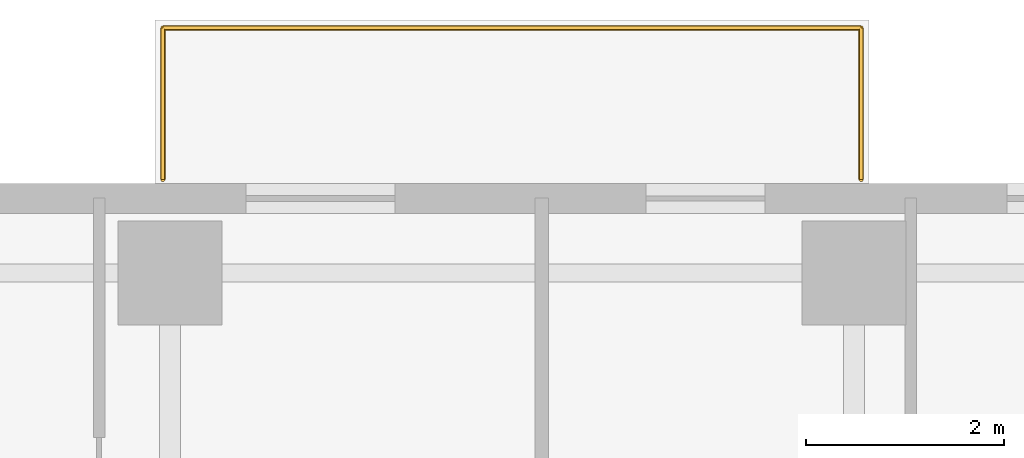
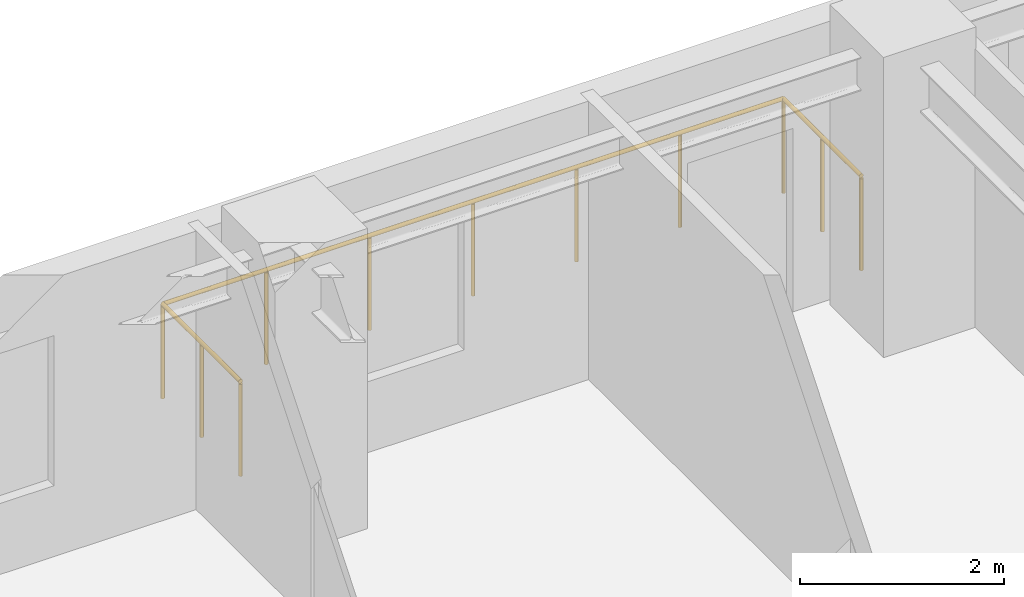
# One storey, part 15 of 15: 1 railing.
"""IFC4 building model written with IfcOpenShell, lengths in metres."""

from ifc_helpers import new_model, si_unit, direction, frame, origin, origin_2d, place, context, subcontext, project, spatial, circle, extrude, material, type_object, element, save


model = new_model("IFC4")

# Units and contexts
model_context = context("Model", 3, precision=1e-05, world=origin(), true_north=direction((0.0, 1.0)))
body_context = subcontext(model_context, "Body", "Model", "MODEL_VIEW")
ifc_project = project(units=[si_unit("LENGTHUNIT", "METRE"), si_unit("AREAUNIT", "SQUARE_METRE"), si_unit("VOLUMEUNIT", "CUBIC_METRE"), si_unit("PLANEANGLEUNIT", "RADIAN"), si_unit("MASSUNIT", "GRAM", prefix="KILO")], contexts=[model_context])

# Site, building, storey
site_placement = place(None, origin())
site = spatial("IfcSite", under=ifc_project, at=site_placement, CompositionType="ELEMENT")
building_placement = place(site_placement, origin())
building = spatial("IfcBuilding", under=site, at=building_placement, Name="Khoralis Quay Care Tower", CompositionType="ELEMENT")
storey_placement = place(building_placement, frame((0.0, 0.0, 123.300048828125)))
storey = spatial("IfcBuildingStorey", under=building, at=storey_placement, Name="L32", CompositionType="ELEMENT", Elevation=123.300048828125)

# Railing
ifc_material = material(Name="Pale anodised aluminium", Category="aluminium")
railing_type = type_object("IfcRailingType", Name="RL-BALUST-1150", PredefinedType="BALUSTRADE", material=ifc_material)
railing_placement = place(storey_placement, frame((17.030029296875, 45.0400390625, -0.0400390625)))
element("IfcRailing", 1, at=railing_placement, inside=storey, type_object=railing_type, Name="L32 Senior Loggia Balcony Guard", PredefinedType="BALUSTRADE", context=body_context, shape_type="SweptSolid", body=[
    extrude(circle(Radius=0.02392578125, at=origin_2d()), frame((0.0, 0.0, 1.1259765625), z_axis=(0.0, 1.0, 0.0), x_axis=(-1.0, 0.0, 0.0)), (0.0, 0.0, 1.0), 1.530029296875),
    extrude(circle(Radius=0.02392578125, at=origin_2d()), frame((0.0, 1.530029296875, 1.1259765625), z_axis=(1.0, 0.0, 0.0), x_axis=(0.0, 1.0, 0.0)), (0.0, 0.0, 1.0), 7.0400390625),
    extrude(circle(Radius=0.02392578125, at=origin_2d()), frame((7.0400390625, 1.530029296875, 1.1259765625), z_axis=(0.0, -1.0, 0.0), x_axis=(1.0, 0.0, 0.0)), (0.0, 0.0, 1.0), 1.530029296875),
    extrude(circle(Radius=0.02099609375, at=origin_2d()), origin(), (0.0, 0.0, 1.0), 1.101806640625),
    extrude(circle(Radius=0.02099609375, at=origin_2d()), frame((0.0, 0.76513671875, 0.0)), (0.0, 0.0, 1.0), 1.101806640625),
    extrude(circle(Radius=0.02099609375, at=origin_2d()), frame((0.0, 1.530029296875, 0.0)), (0.0, 0.0, 1.0), 1.101806640625),
    extrude(circle(Radius=0.02099609375, at=origin_2d()), frame((1.17333984375, 1.530029296875, 0.0)), (0.0, 0.0, 1.0), 1.101806640625),
    extrude(circle(Radius=0.02099609375, at=origin_2d()), frame((2.3466796875, 1.530029296875, 0.0)), (0.0, 0.0, 1.0), 1.101806640625),
    extrude(circle(Radius=0.02099609375, at=origin_2d()), frame((3.52001953125, 1.530029296875, 0.0)), (0.0, 0.0, 1.0), 1.101806640625),
    extrude(circle(Radius=0.02099609375, at=origin_2d()), frame((4.693359375, 1.530029296875, 0.0)), (0.0, 0.0, 1.0), 1.101806640625),
    extrude(circle(Radius=0.02099609375, at=origin_2d()), frame((5.86669921875, 1.530029296875, 0.0)), (0.0, 0.0, 1.0), 1.101806640625),
    extrude(circle(Radius=0.02099609375, at=origin_2d()), frame((7.0400390625, 1.530029296875, 0.0)), (0.0, 0.0, 1.0), 1.101806640625),
    extrude(circle(Radius=0.02099609375, at=origin_2d()), frame((7.0400390625, 0.76513671875, 0.0)), (0.0, 0.0, 1.0), 1.101806640625),
    extrude(circle(Radius=0.02099609375, at=origin_2d()), frame((7.0400390625, 0.0, 0.0)), (0.0, 0.0, 1.0), 1.101806640625),
])

save(model, "model.ifc")
